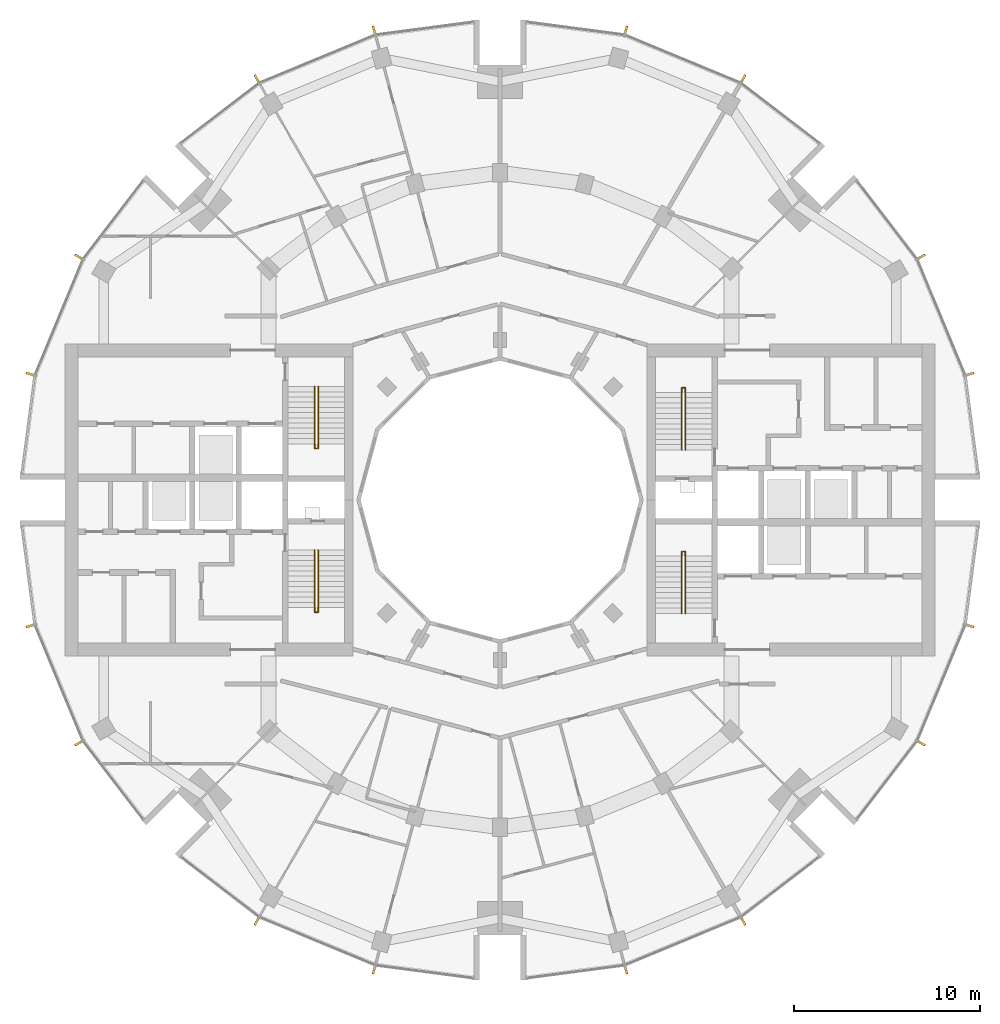
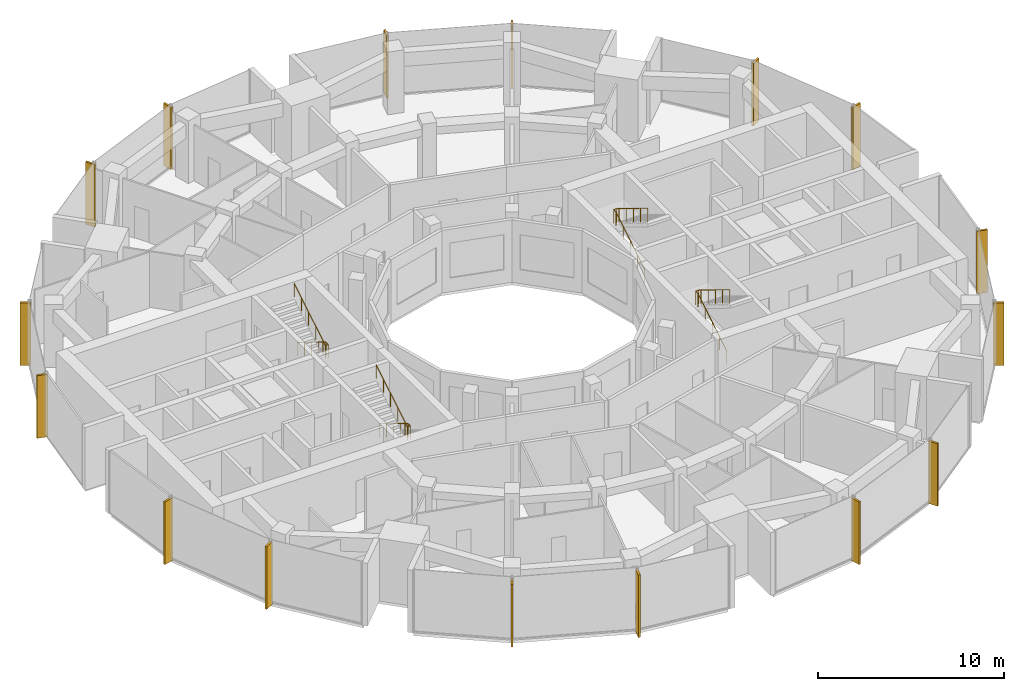
# One storey, part 14 of 15: 16 shading devices, 4 railings.
"""IFC4 building model written with IfcOpenShell, lengths in metres."""

from ifc_helpers import new_model, si_unit, direction, frame, origin, origin_2d, place, context, subcontext, project, spatial, rectangle, circle, extrude, material, material_profile, profile_set, type_object, element, save


model = new_model("IFC4")

# Units and contexts
model_context = context("Model", 3, precision=1e-05, world=origin(), true_north=direction((0.0, 1.0)))
body_context = subcontext(model_context, "Body", "Model", "MODEL_VIEW")
ifc_project = project(units=[si_unit("LENGTHUNIT", "METRE"), si_unit("AREAUNIT", "SQUARE_METRE"), si_unit("VOLUMEUNIT", "CUBIC_METRE"), si_unit("PLANEANGLEUNIT", "RADIAN"), si_unit("MASSUNIT", "GRAM", prefix="KILO")], contexts=[model_context])

# Site, building, storey
site_placement = place(None, origin())
site = spatial("IfcSite", under=ifc_project, at=site_placement, CompositionType="ELEMENT")
building_placement = place(site_placement, origin())
building = spatial("IfcBuilding", under=site, at=building_placement, Name="Torre Brocal", CompositionType="ELEMENT")
storey_placement = place(building_placement, frame((0.0, 0.0, 157.699951171875)))
storey = spatial("IfcBuildingStorey", under=building, at=storey_placement, Name="L36", CompositionType="ELEMENT", Elevation=157.699951171875)

# Shading devices
ifc_material_1 = material(Name="Aluminium, black anodised", Category="aluminium")
ifc_material_profile = material_profile(ifc_material_1, rectangle(XDim=0.1201171875, YDim=0.60009765625, at=origin_2d()), Name="FIN 120X600 4100 HIGH")
ifc_profile_set = profile_set([ifc_material_profile], Name="Aluminium, black anodised")
shading_device_type = type_object("IfcShadingDeviceType", Name="FIN 120X600 4100 HIGH", PredefinedType="USERDEFINED", material=ifc_profile_set)
for number, where, z_axis, x_axis, name in (
    (1, (105.208984375, 81.754638671875, -0.14990234375), (0.0, 0.0, 1.0), (-0.258819045103, 0.965925826289, 0.0), "FIN"),
    (2, (102.601806640625, 88.049072265625, -0.14990234375), (0.0, 0.0, 1.0), (-0.5, 0.866025403784, 0.0), "FIN"),
    (3, (93.049072265625, 97.601806640625, -0.14990234375), (0.0, 0.0, 1.0), (-0.866025403784, 0.5, 0.0), "FIN"),
    (4, (86.754638671875, 100.208984375, -0.14990234375), (0.0, 0.0, 1.0), (-0.965925826289, 0.258819045103, 0.0), "FIN"),
    (5, (73.245361328125, 100.208984375, -0.14990234375), (0.0, 0.0, 1.0), (-0.965925826289, -0.258819045103, 0.0), "FIN"),
    (6, (66.950927734375, 97.601806640625, -0.14990234375), (0.0, 0.0, 1.0), (-0.866025403784, -0.5, 0.0), "FIN"),
    (7, (57.398193359375, 88.049072265625, -0.14990234375), (0.0, 0.0, 1.0), (-0.5, -0.866025403784, 0.0), "FIN"),
    (8, (54.791015625, 81.754638671875, -0.14990234375), (0.0, 0.0, 1.0), (-0.258819045103, -0.965925826289, 0.0), "FIN"),
    (9, (54.791015625, 68.245361328125, -0.14990234375), (0.0, 0.0, 1.0), (0.258819045103, -0.965925826289, 0.0), "FIN"),
    (10, (57.398193359375, 61.950927734375, -0.14990234375), (0.0, 0.0, 1.0), (0.5, -0.866025403784, 0.0), "FIN"),
    (11, (66.950927734375, 52.398193359375, -0.14990234375), (0.0, 0.0, 1.0), (0.866025403784, -0.5, 0.0), "FIN"),
    (12, (73.245361328125, 49.791015625, -0.14990234375), (0.0, 0.0, 1.0), (0.965925826289, -0.258819045103, 0.0), "FIN"),
    (13, (86.754638671875, 49.791015625, -0.14990234375), (0.0, 0.0, 1.0), (0.965925826289, 0.258819045103, 0.0), "FIN"),
    (14, (93.049072265625, 52.398193359375, -0.14990234375), (0.0, 0.0, 1.0), (0.866025403784, 0.5, 0.0), "FIN"),
    (15, (102.601806640625, 61.950927734375, -0.14990234375), (0.0, 0.0, 1.0), (0.5, 0.866025403784, 0.0), "FIN"),
    (16, (105.208984375, 68.245361328125, -0.14990234375), (0.0, 0.0, 1.0), (0.258819045103, 0.965925826289, 0.0), "FIN"),
):
    element("IfcShadingDevice", number, at=place(storey_placement, frame(where, z_axis=z_axis, x_axis=x_axis)), inside=storey, type_object=shading_device_type, Name=name, ObjectType="FIN", PredefinedType="USERDEFINED", context=body_context, shape_type="SweptSolid", body=[
        extrude(rectangle(XDim=0.1201171875, YDim=0.60009765625, at=origin_2d()), origin(), (0.0, 0.0, 1.0), 4.099853515625),
    ])

# Railings
ifc_material_2 = material(Name="Stainless steel AISI 316", Category="steel")
railing_type = type_object("IfcRailingType", Name="STAIR HANDRAIL", PredefinedType="HANDRAIL", material=ifc_material_2)
railing_1_placement = place(storey_placement, frame((89.780029296875, 77.699951171875, 0.1708984375)))
element("IfcRailing", 17, at=railing_1_placement, inside=storey, type_object=railing_type, Name="HANDRAIL ST1", PredefinedType="HANDRAIL", context=body_context, shape_type="SweptSolid", body=[
    extrude(circle(Radius=0.02392578125, at=origin_2d()), frame((0.0, 0.0, 0.8759765625), z_axis=(0.0, 0.853666305674, 0.52082035152), x_axis=(-1.0, 0.0, 0.0)), (0.0, 0.0, 1.0), 3.608154296875),
    extrude(circle(Radius=0.02392578125, at=origin_2d()), frame((0.0, 3.080078125, 2.7548828125), z_axis=(0.0, 1.0, 0.0), x_axis=(-1.0, 0.0, 0.0)), (0.0, 0.0, 1.0), 0.25),
    extrude(circle(Radius=0.02392578125, at=origin_2d()), frame((0.0, 3.330078125, 2.7548828125), z_axis=(1.0, 0.0, 0.0), x_axis=(0.0, 1.0, 0.0)), (0.0, 0.0, 1.0), 0.18994140625),
    extrude(circle(Radius=0.02392578125, at=origin_2d()), frame((0.18994140625, 3.330078125, 2.7548828125), z_axis=(0.0, -0.825544483742, 0.564337049433), x_axis=(1.0, 0.0, 0.0)), (0.0, 0.0, 1.0), 0.302734375),
    extrude(circle(Radius=0.02392578125, at=origin_2d()), frame((0.18994140625, 3.080078125, 2.92578125), z_axis=(0.0, -0.853666305674, 0.52082035152), x_axis=(1.0, 0.0, 0.0)), (0.0, 0.0, 1.0), 3.608154296875),
    extrude(circle(Radius=0.02099609375, at=origin_2d()), origin(), (0.0, 0.0, 1.0), 0.851806640625),
    extrude(circle(Radius=0.02099609375, at=origin_2d()), frame((0.0, 0.77001953125, 0.4697265625)), (0.0, 0.0, 1.0), 0.851806640625),
    extrude(circle(Radius=0.02099609375, at=origin_2d()), frame((0.0, 1.5400390625, 0.939453125)), (0.0, 0.0, 1.0), 0.851806640625),
    extrude(circle(Radius=0.02099609375, at=origin_2d()), frame((0.0, 2.31005859375, 1.409423828125)), (0.0, 0.0, 1.0), 0.851806640625),
    extrude(circle(Radius=0.02099609375, at=origin_2d()), frame((0.0, 3.080078125, 1.879150390625)), (0.0, 0.0, 1.0), 0.851806640625),
    extrude(circle(Radius=0.02099609375, at=origin_2d()), frame((0.0, 3.330078125, 1.879150390625)), (0.0, 0.0, 1.0), 0.851806640625),
    extrude(circle(Radius=0.02099609375, at=origin_2d()), frame((0.18994140625, 3.330078125, 1.879150390625)), (0.0, 0.0, 1.0), 0.851806640625),
    extrude(circle(Radius=0.02099609375, at=origin_2d()), frame((0.18994140625, 3.080078125, 2.050048828125)), (0.0, 0.0, 1.0), 0.851806640625),
    extrude(circle(Radius=0.02099609375, at=origin_2d()), frame((0.18994140625, 2.31005859375, 2.519775390625)), (0.0, 0.0, 1.0), 0.851806640625),
    extrude(circle(Radius=0.02099609375, at=origin_2d()), frame((0.18994140625, 1.5400390625, 2.98974609375)), (0.0, 0.0, 1.0), 0.851806640625),
    extrude(circle(Radius=0.02099609375, at=origin_2d()), frame((0.18994140625, 0.77001953125, 3.45947265625)), (0.0, 0.0, 1.0), 0.851806640625),
    extrude(circle(Radius=0.02099609375, at=origin_2d()), frame((0.18994140625, 0.0, 3.92919921875)), (0.0, 0.0, 1.0), 0.851806640625),
])
railing_2_placement = place(storey_placement, frame((89.780029296875, 68.89990234375, 0.1708984375)))
element("IfcRailing", 18, at=railing_2_placement, inside=storey, type_object=railing_type, Name="HANDRAIL ST2", PredefinedType="HANDRAIL", context=body_context, shape_type="SweptSolid", body=[
    extrude(circle(Radius=0.02392578125, at=origin_2d()), frame((0.0, 0.0, 0.8759765625), z_axis=(0.0, 0.853666305674, 0.52082035152), x_axis=(-1.0, 0.0, 0.0)), (0.0, 0.0, 1.0), 3.608154296875),
    extrude(circle(Radius=0.02392578125, at=origin_2d()), frame((0.0, 3.080078125, 2.7548828125), z_axis=(0.0, 1.0, 0.0), x_axis=(-1.0, 0.0, 0.0)), (0.0, 0.0, 1.0), 0.25),
    extrude(circle(Radius=0.02392578125, at=origin_2d()), frame((0.0, 3.330078125, 2.7548828125), z_axis=(1.0, 0.0, 0.0), x_axis=(0.0, 1.0, 0.0)), (0.0, 0.0, 1.0), 0.18994140625),
    extrude(circle(Radius=0.02392578125, at=origin_2d()), frame((0.18994140625, 3.330078125, 2.7548828125), z_axis=(0.0, -0.825544483742, 0.564337049433), x_axis=(1.0, 0.0, 0.0)), (0.0, 0.0, 1.0), 0.302734375),
    extrude(circle(Radius=0.02392578125, at=origin_2d()), frame((0.18994140625, 3.080078125, 2.92578125), z_axis=(0.0, -0.853666305674, 0.52082035152), x_axis=(1.0, 0.0, 0.0)), (0.0, 0.0, 1.0), 3.608154296875),
    extrude(circle(Radius=0.02099609375, at=origin_2d()), origin(), (0.0, 0.0, 1.0), 0.851806640625),
    extrude(circle(Radius=0.02099609375, at=origin_2d()), frame((0.0, 0.77001953125, 0.4697265625)), (0.0, 0.0, 1.0), 0.851806640625),
    extrude(circle(Radius=0.02099609375, at=origin_2d()), frame((0.0, 1.5400390625, 0.939453125)), (0.0, 0.0, 1.0), 0.851806640625),
    extrude(circle(Radius=0.02099609375, at=origin_2d()), frame((0.0, 2.31005859375, 1.409423828125)), (0.0, 0.0, 1.0), 0.851806640625),
    extrude(circle(Radius=0.02099609375, at=origin_2d()), frame((0.0, 3.080078125, 1.879150390625)), (0.0, 0.0, 1.0), 0.851806640625),
    extrude(circle(Radius=0.02099609375, at=origin_2d()), frame((0.0, 3.330078125, 1.879150390625)), (0.0, 0.0, 1.0), 0.851806640625),
    extrude(circle(Radius=0.02099609375, at=origin_2d()), frame((0.18994140625, 3.330078125, 1.879150390625)), (0.0, 0.0, 1.0), 0.851806640625),
    extrude(circle(Radius=0.02099609375, at=origin_2d()), frame((0.18994140625, 3.080078125, 2.050048828125)), (0.0, 0.0, 1.0), 0.851806640625),
    extrude(circle(Radius=0.02099609375, at=origin_2d()), frame((0.18994140625, 2.31005859375, 2.519775390625)), (0.0, 0.0, 1.0), 0.851806640625),
    extrude(circle(Radius=0.02099609375, at=origin_2d()), frame((0.18994140625, 1.5400390625, 2.98974609375)), (0.0, 0.0, 1.0), 0.851806640625),
    extrude(circle(Radius=0.02099609375, at=origin_2d()), frame((0.18994140625, 0.77001953125, 3.45947265625)), (0.0, 0.0, 1.0), 0.851806640625),
    extrude(circle(Radius=0.02099609375, at=origin_2d()), frame((0.18994140625, 0.0, 3.92919921875)), (0.0, 0.0, 1.0), 0.851806640625),
])
railing_3_placement = place(storey_placement, frame((70.219970703125, 72.300048828125, 0.1708984375)))
element("IfcRailing", 19, at=railing_3_placement, inside=storey, type_object=railing_type, Name="HANDRAIL ST3", PredefinedType="HANDRAIL", context=body_context, shape_type="SweptSolid", body=[
    extrude(circle(Radius=0.02392578125, at=origin_2d()), frame((0.0, 0.0, 0.8759765625), z_axis=(0.0, -0.853666305674, 0.52082035152), x_axis=(1.0, 0.0, 0.0)), (0.0, 0.0, 1.0), 3.608154296875),
    extrude(circle(Radius=0.02392578125, at=origin_2d()), frame((0.0, -3.080078125, 2.7548828125), z_axis=(0.0, -1.0, 0.0), x_axis=(1.0, 0.0, 0.0)), (0.0, 0.0, 1.0), 0.25),
    extrude(circle(Radius=0.02392578125, at=origin_2d()), frame((0.0, -3.330078125, 2.7548828125), z_axis=(-1.0, 0.0, 0.0), x_axis=(0.0, -1.0, 0.0)), (0.0, 0.0, 1.0), 0.18994140625),
    extrude(circle(Radius=0.02392578125, at=origin_2d()), frame((-0.18994140625, -3.330078125, 2.7548828125), z_axis=(0.0, 0.825544483742, 0.564337049433), x_axis=(-1.0, 0.0, 0.0)), (0.0, 0.0, 1.0), 0.302734375),
    extrude(circle(Radius=0.02392578125, at=origin_2d()), frame((-0.18994140625, -3.080078125, 2.92578125), z_axis=(0.0, 0.853666305674, 0.52082035152), x_axis=(-1.0, 0.0, 0.0)), (0.0, 0.0, 1.0), 3.608154296875),
    extrude(circle(Radius=0.02099609375, at=origin_2d()), origin(), (0.0, 0.0, 1.0), 0.851806640625),
    extrude(circle(Radius=0.02099609375, at=origin_2d()), frame((0.0, -0.77001953125, 0.4697265625)), (0.0, 0.0, 1.0), 0.851806640625),
    extrude(circle(Radius=0.02099609375, at=origin_2d()), frame((0.0, -1.5400390625, 0.939453125)), (0.0, 0.0, 1.0), 0.851806640625),
    extrude(circle(Radius=0.02099609375, at=origin_2d()), frame((0.0, -2.31005859375, 1.409423828125)), (0.0, 0.0, 1.0), 0.851806640625),
    extrude(circle(Radius=0.02099609375, at=origin_2d()), frame((0.0, -3.080078125, 1.879150390625)), (0.0, 0.0, 1.0), 0.851806640625),
    extrude(circle(Radius=0.02099609375, at=origin_2d()), frame((0.0, -3.330078125, 1.879150390625)), (0.0, 0.0, 1.0), 0.851806640625),
    extrude(circle(Radius=0.02099609375, at=origin_2d()), frame((-0.18994140625, -3.330078125, 1.879150390625)), (0.0, 0.0, 1.0), 0.851806640625),
    extrude(circle(Radius=0.02099609375, at=origin_2d()), frame((-0.18994140625, -3.080078125, 2.050048828125)), (0.0, 0.0, 1.0), 0.851806640625),
    extrude(circle(Radius=0.02099609375, at=origin_2d()), frame((-0.18994140625, -2.31005859375, 2.519775390625)), (0.0, 0.0, 1.0), 0.851806640625),
    extrude(circle(Radius=0.02099609375, at=origin_2d()), frame((-0.18994140625, -1.5400390625, 2.98974609375)), (0.0, 0.0, 1.0), 0.851806640625),
    extrude(circle(Radius=0.02099609375, at=origin_2d()), frame((-0.18994140625, -0.77001953125, 3.45947265625)), (0.0, 0.0, 1.0), 0.851806640625),
    extrude(circle(Radius=0.02099609375, at=origin_2d()), frame((-0.18994140625, 0.0, 3.92919921875)), (0.0, 0.0, 1.0), 0.851806640625),
])
railing_4_placement = place(storey_placement, frame((70.219970703125, 81.10009765625, 0.1708984375)))
element("IfcRailing", 20, at=railing_4_placement, inside=storey, type_object=railing_type, Name="HANDRAIL ST4", PredefinedType="HANDRAIL", context=body_context, shape_type="SweptSolid", body=[
    extrude(circle(Radius=0.02392578125, at=origin_2d()), frame((0.0, 0.0, 0.8759765625), z_axis=(0.0, -0.853666305674, 0.52082035152), x_axis=(1.0, 0.0, 0.0)), (0.0, 0.0, 1.0), 3.608154296875),
    extrude(circle(Radius=0.02392578125, at=origin_2d()), frame((0.0, -3.080078125, 2.7548828125), z_axis=(0.0, -1.0, 0.0), x_axis=(1.0, 0.0, 0.0)), (0.0, 0.0, 1.0), 0.25),
    extrude(circle(Radius=0.02392578125, at=origin_2d()), frame((0.0, -3.330078125, 2.7548828125), z_axis=(-1.0, 0.0, 0.0), x_axis=(0.0, -1.0, 0.0)), (0.0, 0.0, 1.0), 0.18994140625),
    extrude(circle(Radius=0.02392578125, at=origin_2d()), frame((-0.18994140625, -3.330078125, 2.7548828125), z_axis=(0.0, 0.825544483742, 0.564337049433), x_axis=(-1.0, 0.0, 0.0)), (0.0, 0.0, 1.0), 0.302734375),
    extrude(circle(Radius=0.02392578125, at=origin_2d()), frame((-0.18994140625, -3.080078125, 2.92578125), z_axis=(0.0, 0.853666305674, 0.52082035152), x_axis=(-1.0, 0.0, 0.0)), (0.0, 0.0, 1.0), 3.608154296875),
    extrude(circle(Radius=0.02099609375, at=origin_2d()), origin(), (0.0, 0.0, 1.0), 0.851806640625),
    extrude(circle(Radius=0.02099609375, at=origin_2d()), frame((0.0, -0.77001953125, 0.4697265625)), (0.0, 0.0, 1.0), 0.851806640625),
    extrude(circle(Radius=0.02099609375, at=origin_2d()), frame((0.0, -1.5400390625, 0.939453125)), (0.0, 0.0, 1.0), 0.851806640625),
    extrude(circle(Radius=0.02099609375, at=origin_2d()), frame((0.0, -2.31005859375, 1.409423828125)), (0.0, 0.0, 1.0), 0.851806640625),
    extrude(circle(Radius=0.02099609375, at=origin_2d()), frame((0.0, -3.080078125, 1.879150390625)), (0.0, 0.0, 1.0), 0.851806640625),
    extrude(circle(Radius=0.02099609375, at=origin_2d()), frame((0.0, -3.330078125, 1.879150390625)), (0.0, 0.0, 1.0), 0.851806640625),
    extrude(circle(Radius=0.02099609375, at=origin_2d()), frame((-0.18994140625, -3.330078125, 1.879150390625)), (0.0, 0.0, 1.0), 0.851806640625),
    extrude(circle(Radius=0.02099609375, at=origin_2d()), frame((-0.18994140625, -3.080078125, 2.050048828125)), (0.0, 0.0, 1.0), 0.851806640625),
    extrude(circle(Radius=0.02099609375, at=origin_2d()), frame((-0.18994140625, -2.31005859375, 2.519775390625)), (0.0, 0.0, 1.0), 0.851806640625),
    extrude(circle(Radius=0.02099609375, at=origin_2d()), frame((-0.18994140625, -1.5400390625, 2.98974609375)), (0.0, 0.0, 1.0), 0.851806640625),
    extrude(circle(Radius=0.02099609375, at=origin_2d()), frame((-0.18994140625, -0.77001953125, 3.45947265625)), (0.0, 0.0, 1.0), 0.851806640625),
    extrude(circle(Radius=0.02099609375, at=origin_2d()), frame((-0.18994140625, 0.0, 3.92919921875)), (0.0, 0.0, 1.0), 0.851806640625),
])

save(model, "model.ifc")
